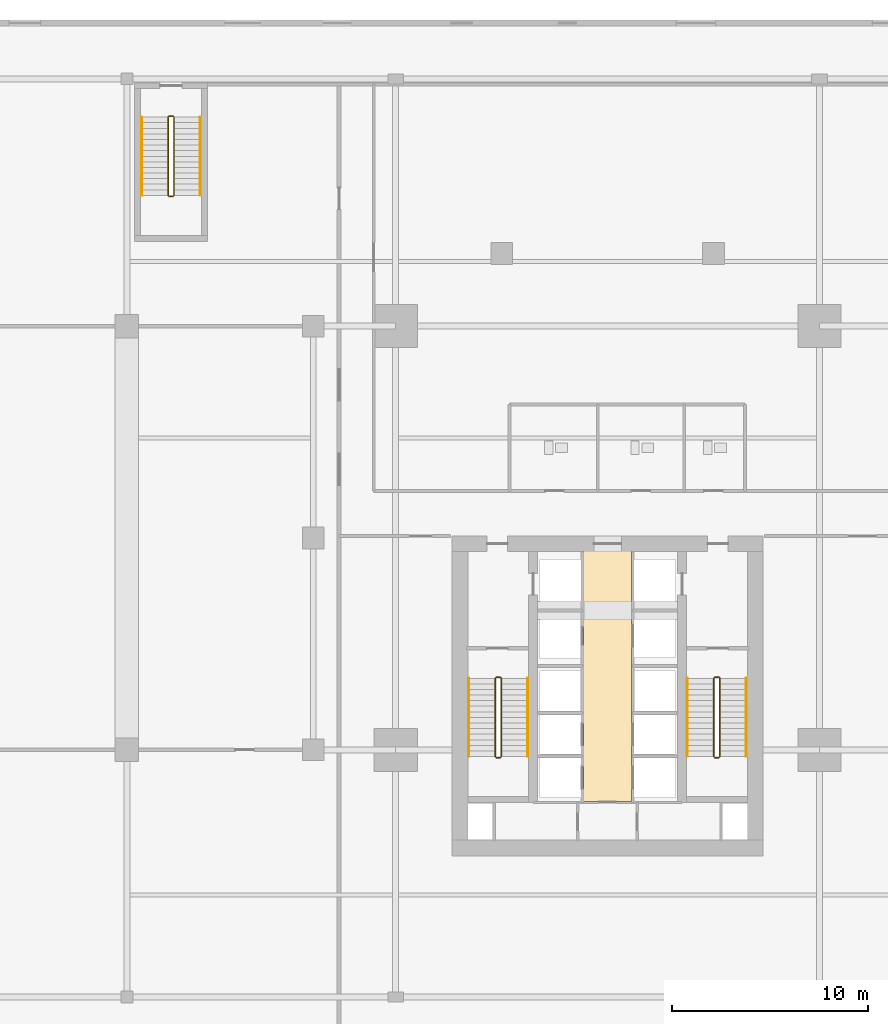
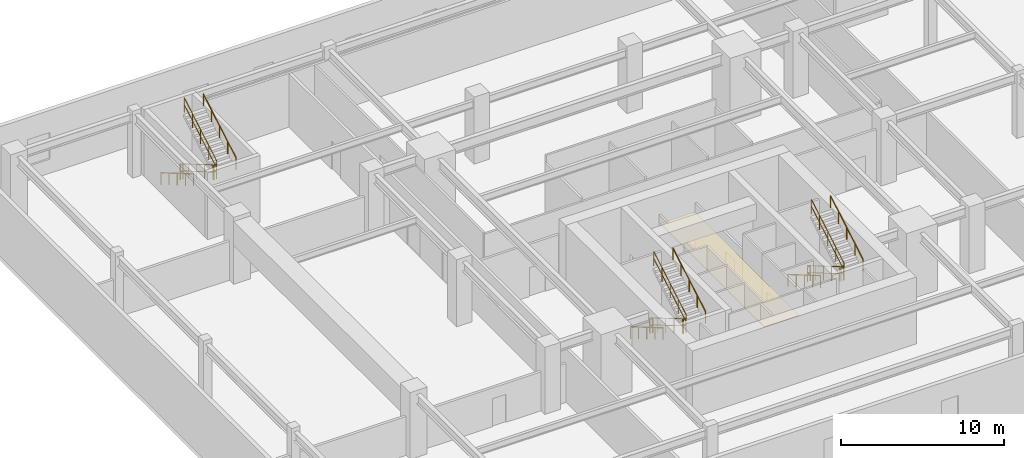
# One storey, part 8 of 10: 18 railings, 1 covering.
"""IFC4 building model written with IfcOpenShell, lengths in metres."""

from ifc_helpers import new_model, si_unit, direction, frame, origin, origin_2d, place, context, subcontext, project, spatial, polyline, circle, outline, extrude, material, layer, layer_set, type_object, element, save


model = new_model("IFC4")

# Units and contexts
model_context = context("Model", 3, precision=1e-05, world=origin(), true_north=direction((0.0, 1.0)))
body_context = subcontext(model_context, "Body", "Model", "MODEL_VIEW")
ifc_project = project(units=[si_unit("LENGTHUNIT", "METRE"), si_unit("AREAUNIT", "SQUARE_METRE"), si_unit("VOLUMEUNIT", "CUBIC_METRE"), si_unit("PLANEANGLEUNIT", "RADIAN"), si_unit("MASSUNIT", "GRAM", prefix="KILO")], contexts=[model_context])

# Site, building, storey
site_placement = place(None, origin())
site = spatial("IfcSite", under=ifc_project, at=site_placement, CompositionType="ELEMENT")
building_placement = place(site_placement, origin())
building = spatial("IfcBuilding", under=site, at=building_placement, Name="Krantzveldt Concourse Tower", CompositionType="ELEMENT")
storey_placement = place(building_placement, frame((0.0, 0.0, 5.39990234375)))
storey = spatial("IfcBuildingStorey", under=building, at=storey_placement, Name="L01", CompositionType="ELEMENT", Elevation=5.39990234375)

# Covering
ifc_material_1 = material(Name="Perforated acoustic mineral-fibre ceiling tile", Category="ceiling")
ifc_layer_1 = layer(ifc_material_1, 0.0400390625, Name="Perforated acoustic mineral-fibre ceiling tile", Category="ceiling")
ifc_layer_set_1 = layer_set([ifc_layer_1], Name="Perforated acoustic mineral-fibre ceiling tile (COV-CEIL-ACOUSTIC)")
covering_type = type_object("IfcCoveringType", Name="COV-CEIL-ACOUSTIC", PredefinedType="CEILING", material=ifc_layer_set_1)
covering_placement = place(storey_placement, frame((0.0, 0.0, 2.75)))
element("IfcCovering", 1, at=covering_placement, inside=storey, type_object=covering_type, Name="CLG-L01-LLB", PredefinedType="CEILING", context=body_context, shape_type="SweptSolid", body=[
    extrude(outline(polyline([(34.77490234375, 13.27490234375), (34.77490234375, 26.044921875), (37.22509765625, 26.044921875), (37.22509765625, 13.27490234375), (34.77490234375, 13.27490234375)])), origin(), (0.0, 0.0, 1.0), 0.0400390625),
])

# Railings
ifc_material_2 = material(Name="Stainless steel 316L", Category="steel")
ifc_layer_2 = layer(ifc_material_2, 0.06005859375, Name="Stainless steel 316L", Category="steel")
ifc_layer_set_2 = layer_set([ifc_layer_2], Name="Stainless steel 316L (RL-GUARD-1120)")
railing_type_1 = type_object("IfcRailingType", Name="RL-GUARD-1120", PredefinedType="GUARDRAIL", material=ifc_layer_set_2)
railing_1_placement = place(storey_placement, frame((30.280029296875, 19.550048828125, 0.166748046875)))
element("IfcRailing", 2, at=railing_1_placement, inside=storey, type_object=railing_type_1, Name="L01 ST-1 stair guard 1", PredefinedType="GUARDRAIL", context=body_context, shape_type="SweptSolid", body=[
    extrude(circle(Radius=0.02392578125, at=origin_2d()), frame((0.0, 0.0, 1.076171875), z_axis=(0.0, -0.863236243904, 0.504800145811), x_axis=(1.0, 0.0, 0.0)), (0.0, 0.0, 1.0), 4.6220703125),
    extrude(circle(Radius=0.02392578125, at=origin_2d()), frame((0.0, 0.0, 0.550048828125), z_axis=(0.0, -0.863236243904, 0.504800145811), x_axis=(1.0, 0.0, 0.0)), (0.0, 0.0, 1.0), 4.6220703125),
    extrude(circle(Radius=0.02099609375, at=origin_2d()), origin(), (0.0, 0.0, 1.0), 1.052001953125),
    extrude(circle(Radius=0.02099609375, at=origin_2d()), frame((0.0, -0.99755859375, 0.583251953125)), (0.0, 0.0, 1.0), 1.052001953125),
    extrude(circle(Radius=0.02099609375, at=origin_2d()), frame((0.0, -1.9951171875, 1.16650390625)), (0.0, 0.0, 1.0), 1.052001953125),
    extrude(circle(Radius=0.02099609375, at=origin_2d()), frame((0.0, -2.992431640625, 1.75)), (0.0, 0.0, 1.0), 1.052001953125),
    extrude(circle(Radius=0.02099609375, at=origin_2d()), frame((0.0, -3.989990234375, 2.333251953125)), (0.0, 0.0, 1.0), 1.052001953125),
])
railing_2_placement = place(storey_placement, frame((30.330078125, 15.510009765625, 2.5)))
element("IfcRailing", 3, at=railing_2_placement, inside=storey, type_object=railing_type_1, Name="L01 ST-1 stair guard 2", PredefinedType="GUARDRAIL", context=body_context, shape_type="SweptSolid", body=[
    extrude(circle(Radius=0.02392578125, at=origin_2d()), frame((0.0, 0.0, 1.076171875), z_axis=(1.0, 0.0, 0.0), x_axis=(0.0, 1.0, 0.0)), (0.0, 0.0, 1.0), 0.199951171875),
    extrude(circle(Radius=0.02392578125, at=origin_2d()), frame((0.0, 0.0, 0.550048828125), z_axis=(1.0, 0.0, 0.0), x_axis=(0.0, 1.0, 0.0)), (0.0, 0.0, 1.0), 0.199951171875),
    extrude(circle(Radius=0.02099609375, at=origin_2d()), origin(), (0.0, 0.0, 1.0), 1.052001953125),
    extrude(circle(Radius=0.02099609375, at=origin_2d()), frame((0.199951171875, 0.0, 0.0)), (0.0, 0.0, 1.0), 1.052001953125),
])
railing_3_placement = place(storey_placement, frame((30.580078125, 15.56005859375, 2.666748046875)))
element("IfcRailing", 4, at=railing_3_placement, inside=storey, type_object=railing_type_1, Name="L01 ST-1 stair guard 3", PredefinedType="GUARDRAIL", context=body_context, shape_type="SweptSolid", body=[
    extrude(circle(Radius=0.02392578125, at=origin_2d()), frame((0.0, 0.0, 1.076171875), z_axis=(0.0, 0.863236243904, 0.504800145811), x_axis=(-1.0, 0.0, 0.0)), (0.0, 0.0, 1.0), 4.6220703125),
    extrude(circle(Radius=0.02392578125, at=origin_2d()), frame((0.0, 0.0, 0.550048828125), z_axis=(0.0, 0.863236243904, 0.504800145811), x_axis=(-1.0, 0.0, 0.0)), (0.0, 0.0, 1.0), 4.6220703125),
    extrude(circle(Radius=0.02099609375, at=origin_2d()), origin(), (0.0, 0.0, 1.0), 1.052001953125),
    extrude(circle(Radius=0.02099609375, at=origin_2d()), frame((0.0, 0.99755859375, 0.583251953125)), (0.0, 0.0, 1.0), 1.052001953125),
    extrude(circle(Radius=0.02099609375, at=origin_2d()), frame((0.0, 1.9951171875, 1.16650390625)), (0.0, 0.0, 1.0), 1.052001953125),
    extrude(circle(Radius=0.02099609375, at=origin_2d()), frame((0.0, 2.992431640625, 1.75)), (0.0, 0.0, 1.0), 1.052001953125),
    extrude(circle(Radius=0.02099609375, at=origin_2d()), frame((0.0, 3.989990234375, 2.333251953125)), (0.0, 0.0, 1.0), 1.052001953125),
])
railing_4_placement = place(storey_placement, frame((30.330078125, 19.60009765625, 0.0)))
element("IfcRailing", 5, at=railing_4_placement, inside=storey, type_object=railing_type_1, Name="L01 ST-1 stair guard 4", PredefinedType="GUARDRAIL", context=body_context, shape_type="SweptSolid", body=[
    extrude(circle(Radius=0.02392578125, at=origin_2d()), frame((0.0, 0.0, 1.076171875), z_axis=(1.0, 0.0, 0.0), x_axis=(0.0, 1.0, 0.0)), (0.0, 0.0, 1.0), 0.199951171875),
    extrude(circle(Radius=0.02392578125, at=origin_2d()), frame((0.0, 0.0, 0.550048828125), z_axis=(1.0, 0.0, 0.0), x_axis=(0.0, 1.0, 0.0)), (0.0, 0.0, 1.0), 0.199951171875),
    extrude(circle(Radius=0.02099609375, at=origin_2d()), origin(), (0.0, 0.0, 1.0), 1.052001953125),
    extrude(circle(Radius=0.02099609375, at=origin_2d()), frame((0.199951171875, 0.0, 0.0)), (0.0, 0.0, 1.0), 1.052001953125),
])
railing_5_placement = place(storey_placement, frame((41.419921875, 19.550048828125, 0.166748046875)))
element("IfcRailing", 6, at=railing_5_placement, inside=storey, type_object=railing_type_1, Name="L01 ST-2 stair guard 1", PredefinedType="GUARDRAIL", context=body_context, shape_type="SweptSolid", body=[
    extrude(circle(Radius=0.02392578125, at=origin_2d()), frame((0.0, 0.0, 1.076171875), z_axis=(0.0, -0.863236243904, 0.504800145811), x_axis=(1.0, 0.0, 0.0)), (0.0, 0.0, 1.0), 4.6220703125),
    extrude(circle(Radius=0.02392578125, at=origin_2d()), frame((0.0, 0.0, 0.550048828125), z_axis=(0.0, -0.863236243904, 0.504800145811), x_axis=(1.0, 0.0, 0.0)), (0.0, 0.0, 1.0), 4.6220703125),
    extrude(circle(Radius=0.02099609375, at=origin_2d()), origin(), (0.0, 0.0, 1.0), 1.052001953125),
    extrude(circle(Radius=0.02099609375, at=origin_2d()), frame((0.0, -0.99755859375, 0.583251953125)), (0.0, 0.0, 1.0), 1.052001953125),
    extrude(circle(Radius=0.02099609375, at=origin_2d()), frame((0.0, -1.9951171875, 1.16650390625)), (0.0, 0.0, 1.0), 1.052001953125),
    extrude(circle(Radius=0.02099609375, at=origin_2d()), frame((0.0, -2.992431640625, 1.75)), (0.0, 0.0, 1.0), 1.052001953125),
    extrude(circle(Radius=0.02099609375, at=origin_2d()), frame((0.0, -3.989990234375, 2.333251953125)), (0.0, 0.0, 1.0), 1.052001953125),
])
railing_6_placement = place(storey_placement, frame((41.469970703125, 15.510009765625, 2.5)))
element("IfcRailing", 7, at=railing_6_placement, inside=storey, type_object=railing_type_1, Name="L01 ST-2 stair guard 2", PredefinedType="GUARDRAIL", context=body_context, shape_type="SweptSolid", body=[
    extrude(circle(Radius=0.02392578125, at=origin_2d()), frame((0.0, 0.0, 1.076171875), z_axis=(1.0, 0.0, 0.0), x_axis=(0.0, 1.0, 0.0)), (0.0, 0.0, 1.0), 0.199951171875),
    extrude(circle(Radius=0.02392578125, at=origin_2d()), frame((0.0, 0.0, 0.550048828125), z_axis=(1.0, 0.0, 0.0), x_axis=(0.0, 1.0, 0.0)), (0.0, 0.0, 1.0), 0.199951171875),
    extrude(circle(Radius=0.02099609375, at=origin_2d()), origin(), (0.0, 0.0, 1.0), 1.052001953125),
    extrude(circle(Radius=0.02099609375, at=origin_2d()), frame((0.199951171875, 0.0, 0.0)), (0.0, 0.0, 1.0), 1.052001953125),
])
railing_7_placement = place(storey_placement, frame((41.719970703125, 15.56005859375, 2.666748046875)))
element("IfcRailing", 8, at=railing_7_placement, inside=storey, type_object=railing_type_1, Name="L01 ST-2 stair guard 3", PredefinedType="GUARDRAIL", context=body_context, shape_type="SweptSolid", body=[
    extrude(circle(Radius=0.02392578125, at=origin_2d()), frame((0.0, 0.0, 1.076171875), z_axis=(0.0, 0.863236243904, 0.504800145811), x_axis=(-1.0, 0.0, 0.0)), (0.0, 0.0, 1.0), 4.6220703125),
    extrude(circle(Radius=0.02392578125, at=origin_2d()), frame((0.0, 0.0, 0.550048828125), z_axis=(0.0, 0.863236243904, 0.504800145811), x_axis=(-1.0, 0.0, 0.0)), (0.0, 0.0, 1.0), 4.6220703125),
    extrude(circle(Radius=0.02099609375, at=origin_2d()), origin(), (0.0, 0.0, 1.0), 1.052001953125),
    extrude(circle(Radius=0.02099609375, at=origin_2d()), frame((0.0, 0.99755859375, 0.583251953125)), (0.0, 0.0, 1.0), 1.052001953125),
    extrude(circle(Radius=0.02099609375, at=origin_2d()), frame((0.0, 1.9951171875, 1.16650390625)), (0.0, 0.0, 1.0), 1.052001953125),
    extrude(circle(Radius=0.02099609375, at=origin_2d()), frame((0.0, 2.992431640625, 1.75)), (0.0, 0.0, 1.0), 1.052001953125),
    extrude(circle(Radius=0.02099609375, at=origin_2d()), frame((0.0, 3.989990234375, 2.333251953125)), (0.0, 0.0, 1.0), 1.052001953125),
])
railing_8_placement = place(storey_placement, frame((41.469970703125, 19.60009765625, 0.0)))
element("IfcRailing", 9, at=railing_8_placement, inside=storey, type_object=railing_type_1, Name="L01 ST-2 stair guard 4", PredefinedType="GUARDRAIL", context=body_context, shape_type="SweptSolid", body=[
    extrude(circle(Radius=0.02392578125, at=origin_2d()), frame((0.0, 0.0, 1.076171875), z_axis=(1.0, 0.0, 0.0), x_axis=(0.0, 1.0, 0.0)), (0.0, 0.0, 1.0), 0.199951171875),
    extrude(circle(Radius=0.02392578125, at=origin_2d()), frame((0.0, 0.0, 0.550048828125), z_axis=(1.0, 0.0, 0.0), x_axis=(0.0, 1.0, 0.0)), (0.0, 0.0, 1.0), 0.199951171875),
    extrude(circle(Radius=0.02099609375, at=origin_2d()), origin(), (0.0, 0.0, 1.0), 1.052001953125),
    extrude(circle(Radius=0.02099609375, at=origin_2d()), frame((0.199951171875, 0.0, 0.0)), (0.0, 0.0, 1.0), 1.052001953125),
])
railing_9_placement = place(storey_placement, frame((13.60009765625, 48.14990234375, 0.166748046875)))
element("IfcRailing", 10, at=railing_9_placement, inside=storey, type_object=railing_type_1, Name="L01 ST-3 stair guard 1", PredefinedType="GUARDRAIL", context=body_context, shape_type="SweptSolid", body=[
    extrude(circle(Radius=0.02392578125, at=origin_2d()), frame((0.0, 0.0, 1.076171875), z_axis=(0.0, -0.863236243904, 0.504800145811), x_axis=(1.0, 0.0, 0.0)), (0.0, 0.0, 1.0), 4.6220703125),
    extrude(circle(Radius=0.02392578125, at=origin_2d()), frame((0.0, 0.0, 0.550048828125), z_axis=(0.0, -0.863236243904, 0.504800145811), x_axis=(1.0, 0.0, 0.0)), (0.0, 0.0, 1.0), 4.6220703125),
    extrude(circle(Radius=0.02099609375, at=origin_2d()), origin(), (0.0, 0.0, 1.0), 1.052001953125),
    extrude(circle(Radius=0.02099609375, at=origin_2d()), frame((0.0, -0.99755859375, 0.583251953125)), (0.0, 0.0, 1.0), 1.052001953125),
    extrude(circle(Radius=0.02099609375, at=origin_2d()), frame((0.0, -1.9951171875, 1.16650390625)), (0.0, 0.0, 1.0), 1.052001953125),
    extrude(circle(Radius=0.02099609375, at=origin_2d()), frame((0.0, -2.992431640625, 1.75)), (0.0, 0.0, 1.0), 1.052001953125),
    extrude(circle(Radius=0.02099609375, at=origin_2d()), frame((0.0, -3.989990234375, 2.333251953125)), (0.0, 0.0, 1.0), 1.052001953125),
])
railing_10_placement = place(storey_placement, frame((13.64990234375, 44.110107421875, 2.5)))
element("IfcRailing", 11, at=railing_10_placement, inside=storey, type_object=railing_type_1, Name="L01 ST-3 stair guard 2", PredefinedType="GUARDRAIL", context=body_context, shape_type="SweptSolid", body=[
    extrude(circle(Radius=0.02392578125, at=origin_2d()), frame((0.0, 0.0, 1.076171875), z_axis=(1.0, 0.0, 0.0), x_axis=(0.0, 1.0, 0.0)), (0.0, 0.0, 1.0), 0.2001953125),
    extrude(circle(Radius=0.02392578125, at=origin_2d()), frame((0.0, 0.0, 0.550048828125), z_axis=(1.0, 0.0, 0.0), x_axis=(0.0, 1.0, 0.0)), (0.0, 0.0, 1.0), 0.2001953125),
    extrude(circle(Radius=0.02099609375, at=origin_2d()), origin(), (0.0, 0.0, 1.0), 1.052001953125),
    extrude(circle(Radius=0.02099609375, at=origin_2d()), frame((0.2001953125, 0.0, 0.0)), (0.0, 0.0, 1.0), 1.052001953125),
])
railing_11_placement = place(storey_placement, frame((13.89990234375, 44.159912109375, 2.666748046875)))
element("IfcRailing", 12, at=railing_11_placement, inside=storey, type_object=railing_type_1, Name="L01 ST-3 stair guard 3", PredefinedType="GUARDRAIL", context=body_context, shape_type="SweptSolid", body=[
    extrude(circle(Radius=0.02392578125, at=origin_2d()), frame((0.0, 0.0, 1.076171875), z_axis=(0.0, 0.863236243904, 0.504800145811), x_axis=(-1.0, 0.0, 0.0)), (0.0, 0.0, 1.0), 4.6220703125),
    extrude(circle(Radius=0.02392578125, at=origin_2d()), frame((0.0, 0.0, 0.550048828125), z_axis=(0.0, 0.863236243904, 0.504800145811), x_axis=(-1.0, 0.0, 0.0)), (0.0, 0.0, 1.0), 4.6220703125),
    extrude(circle(Radius=0.02099609375, at=origin_2d()), origin(), (0.0, 0.0, 1.0), 1.052001953125),
    extrude(circle(Radius=0.02099609375, at=origin_2d()), frame((0.0, 0.99755859375, 0.583251953125)), (0.0, 0.0, 1.0), 1.052001953125),
    extrude(circle(Radius=0.02099609375, at=origin_2d()), frame((0.0, 1.9951171875, 1.16650390625)), (0.0, 0.0, 1.0), 1.052001953125),
    extrude(circle(Radius=0.02099609375, at=origin_2d()), frame((0.0, 2.992431640625, 1.75)), (0.0, 0.0, 1.0), 1.052001953125),
    extrude(circle(Radius=0.02099609375, at=origin_2d()), frame((0.0, 3.989990234375, 2.333251953125)), (0.0, 0.0, 1.0), 1.052001953125),
])
railing_12_placement = place(storey_placement, frame((13.64990234375, 48.199951171875, 0.0)))
element("IfcRailing", 13, at=railing_12_placement, inside=storey, type_object=railing_type_1, Name="L01 ST-3 stair guard 4", PredefinedType="GUARDRAIL", context=body_context, shape_type="SweptSolid", body=[
    extrude(circle(Radius=0.02392578125, at=origin_2d()), frame((0.0, 0.0, 1.076171875), z_axis=(1.0, 0.0, 0.0), x_axis=(0.0, 1.0, 0.0)), (0.0, 0.0, 1.0), 0.2001953125),
    extrude(circle(Radius=0.02392578125, at=origin_2d()), frame((0.0, 0.0, 0.550048828125), z_axis=(1.0, 0.0, 0.0), x_axis=(0.0, 1.0, 0.0)), (0.0, 0.0, 1.0), 0.2001953125),
    extrude(circle(Radius=0.02099609375, at=origin_2d()), origin(), (0.0, 0.0, 1.0), 1.052001953125),
    extrude(circle(Radius=0.02099609375, at=origin_2d()), frame((0.2001953125, 0.0, 0.0)), (0.0, 0.0, 1.0), 1.052001953125),
])
ifc_layer_3 = layer(ifc_material_2, 0.050048828125, Name="Stainless steel 316L", Category="steel")
ifc_layer_set_3 = layer_set([ifc_layer_3], Name="Stainless steel 316L (RL-HANDRAIL-920)")
railing_type_2 = type_object("IfcRailingType", Name="RL-HANDRAIL-920", PredefinedType="HANDRAIL", material=ifc_layer_set_3)
railing_13_placement = place(storey_placement, frame((28.929931640625, 19.550048828125, 0.166748046875)))
element("IfcRailing", 14, at=railing_13_placement, inside=storey, type_object=railing_type_2, Name="L01 ST-1 stair handrail 1", PredefinedType="HANDRAIL", context=body_context, shape_type="SweptSolid", body=[
    extrude(circle(Radius=0.02392578125, at=origin_2d()), frame((0.0, 0.0, 0.8759765625), z_axis=(0.0, -0.863236243904, 0.504800145811), x_axis=(1.0, 0.0, 0.0)), (0.0, 0.0, 1.0), 4.6220703125),
    extrude(circle(Radius=0.02099609375, at=origin_2d()), origin(), (0.0, 0.0, 1.0), 0.851806640625),
    extrude(circle(Radius=0.02099609375, at=origin_2d()), frame((0.0, -0.99755859375, 0.583251953125)), (0.0, 0.0, 1.0), 0.851806640625),
    extrude(circle(Radius=0.02099609375, at=origin_2d()), frame((0.0, -1.9951171875, 1.16650390625)), (0.0, 0.0, 1.0), 0.851806640625),
    extrude(circle(Radius=0.02099609375, at=origin_2d()), frame((0.0, -2.992431640625, 1.75)), (0.0, 0.0, 1.0), 0.851806640625),
    extrude(circle(Radius=0.02099609375, at=origin_2d()), frame((0.0, -3.989990234375, 2.333251953125)), (0.0, 0.0, 1.0), 0.851806640625),
])
railing_14_placement = place(storey_placement, frame((31.929931640625, 15.56005859375, 2.666748046875)))
element("IfcRailing", 15, at=railing_14_placement, inside=storey, type_object=railing_type_2, Name="L01 ST-1 stair handrail 2", PredefinedType="HANDRAIL", context=body_context, shape_type="SweptSolid", body=[
    extrude(circle(Radius=0.02392578125, at=origin_2d()), frame((0.0, 0.0, 0.8759765625), z_axis=(0.0, 0.863236243904, 0.504800145811), x_axis=(-1.0, 0.0, 0.0)), (0.0, 0.0, 1.0), 4.6220703125),
    extrude(circle(Radius=0.02099609375, at=origin_2d()), origin(), (0.0, 0.0, 1.0), 0.851806640625),
    extrude(circle(Radius=0.02099609375, at=origin_2d()), frame((0.0, 0.99755859375, 0.583251953125)), (0.0, 0.0, 1.0), 0.851806640625),
    extrude(circle(Radius=0.02099609375, at=origin_2d()), frame((0.0, 1.9951171875, 1.16650390625)), (0.0, 0.0, 1.0), 0.851806640625),
    extrude(circle(Radius=0.02099609375, at=origin_2d()), frame((0.0, 2.992431640625, 1.75)), (0.0, 0.0, 1.0), 0.851806640625),
    extrude(circle(Radius=0.02099609375, at=origin_2d()), frame((0.0, 3.989990234375, 2.333251953125)), (0.0, 0.0, 1.0), 0.851806640625),
])
railing_15_placement = place(storey_placement, frame((40.070068359375, 19.550048828125, 0.166748046875)))
element("IfcRailing", 16, at=railing_15_placement, inside=storey, type_object=railing_type_2, Name="L01 ST-2 stair handrail 1", PredefinedType="HANDRAIL", context=body_context, shape_type="SweptSolid", body=[
    extrude(circle(Radius=0.02392578125, at=origin_2d()), frame((0.0, 0.0, 0.8759765625), z_axis=(0.0, -0.863236243904, 0.504800145811), x_axis=(1.0, 0.0, 0.0)), (0.0, 0.0, 1.0), 4.6220703125),
    extrude(circle(Radius=0.02099609375, at=origin_2d()), origin(), (0.0, 0.0, 1.0), 0.851806640625),
    extrude(circle(Radius=0.02099609375, at=origin_2d()), frame((0.0, -0.99755859375, 0.583251953125)), (0.0, 0.0, 1.0), 0.851806640625),
    extrude(circle(Radius=0.02099609375, at=origin_2d()), frame((0.0, -1.9951171875, 1.16650390625)), (0.0, 0.0, 1.0), 0.851806640625),
    extrude(circle(Radius=0.02099609375, at=origin_2d()), frame((0.0, -2.992431640625, 1.75)), (0.0, 0.0, 1.0), 0.851806640625),
    extrude(circle(Radius=0.02099609375, at=origin_2d()), frame((0.0, -3.989990234375, 2.333251953125)), (0.0, 0.0, 1.0), 0.851806640625),
])
railing_16_placement = place(storey_placement, frame((43.070068359375, 15.56005859375, 2.666748046875)))
element("IfcRailing", 17, at=railing_16_placement, inside=storey, type_object=railing_type_2, Name="L01 ST-2 stair handrail 2", PredefinedType="HANDRAIL", context=body_context, shape_type="SweptSolid", body=[
    extrude(circle(Radius=0.02392578125, at=origin_2d()), frame((0.0, 0.0, 0.8759765625), z_axis=(0.0, 0.863236243904, 0.504800145811), x_axis=(-1.0, 0.0, 0.0)), (0.0, 0.0, 1.0), 4.6220703125),
    extrude(circle(Radius=0.02099609375, at=origin_2d()), origin(), (0.0, 0.0, 1.0), 0.851806640625),
    extrude(circle(Radius=0.02099609375, at=origin_2d()), frame((0.0, 0.99755859375, 0.583251953125)), (0.0, 0.0, 1.0), 0.851806640625),
    extrude(circle(Radius=0.02099609375, at=origin_2d()), frame((0.0, 1.9951171875, 1.16650390625)), (0.0, 0.0, 1.0), 0.851806640625),
    extrude(circle(Radius=0.02099609375, at=origin_2d()), frame((0.0, 2.992431640625, 1.75)), (0.0, 0.0, 1.0), 0.851806640625),
    extrude(circle(Radius=0.02099609375, at=origin_2d()), frame((0.0, 3.989990234375, 2.333251953125)), (0.0, 0.0, 1.0), 0.851806640625),
])
railing_17_placement = place(storey_placement, frame((12.25, 48.14990234375, 0.166748046875)))
element("IfcRailing", 18, at=railing_17_placement, inside=storey, type_object=railing_type_2, Name="L01 ST-3 stair handrail 1", PredefinedType="HANDRAIL", context=body_context, shape_type="SweptSolid", body=[
    extrude(circle(Radius=0.02392578125, at=origin_2d()), frame((0.0, 0.0, 0.8759765625), z_axis=(0.0, -0.863236243904, 0.504800145811), x_axis=(1.0, 0.0, 0.0)), (0.0, 0.0, 1.0), 4.6220703125),
    extrude(circle(Radius=0.02099609375, at=origin_2d()), origin(), (0.0, 0.0, 1.0), 0.851806640625),
    extrude(circle(Radius=0.02099609375, at=origin_2d()), frame((0.0, -0.99755859375, 0.583251953125)), (0.0, 0.0, 1.0), 0.851806640625),
    extrude(circle(Radius=0.02099609375, at=origin_2d()), frame((0.0, -1.9951171875, 1.16650390625)), (0.0, 0.0, 1.0), 0.851806640625),
    extrude(circle(Radius=0.02099609375, at=origin_2d()), frame((0.0, -2.992431640625, 1.75)), (0.0, 0.0, 1.0), 0.851806640625),
    extrude(circle(Radius=0.02099609375, at=origin_2d()), frame((0.0, -3.989990234375, 2.333251953125)), (0.0, 0.0, 1.0), 0.851806640625),
])
railing_18_placement = place(storey_placement, frame((15.25, 44.159912109375, 2.666748046875)))
element("IfcRailing", 19, at=railing_18_placement, inside=storey, type_object=railing_type_2, Name="L01 ST-3 stair handrail 2", PredefinedType="HANDRAIL", context=body_context, shape_type="SweptSolid", body=[
    extrude(circle(Radius=0.02392578125, at=origin_2d()), frame((0.0, 0.0, 0.8759765625), z_axis=(0.0, 0.863236243904, 0.504800145811), x_axis=(-1.0, 0.0, 0.0)), (0.0, 0.0, 1.0), 4.6220703125),
    extrude(circle(Radius=0.02099609375, at=origin_2d()), origin(), (0.0, 0.0, 1.0), 0.851806640625),
    extrude(circle(Radius=0.02099609375, at=origin_2d()), frame((0.0, 0.99755859375, 0.583251953125)), (0.0, 0.0, 1.0), 0.851806640625),
    extrude(circle(Radius=0.02099609375, at=origin_2d()), frame((0.0, 1.9951171875, 1.16650390625)), (0.0, 0.0, 1.0), 0.851806640625),
    extrude(circle(Radius=0.02099609375, at=origin_2d()), frame((0.0, 2.992431640625, 1.75)), (0.0, 0.0, 1.0), 0.851806640625),
    extrude(circle(Radius=0.02099609375, at=origin_2d()), frame((0.0, 3.989990234375, 2.333251953125)), (0.0, 0.0, 1.0), 0.851806640625),
])

save(model, "model.ifc")
